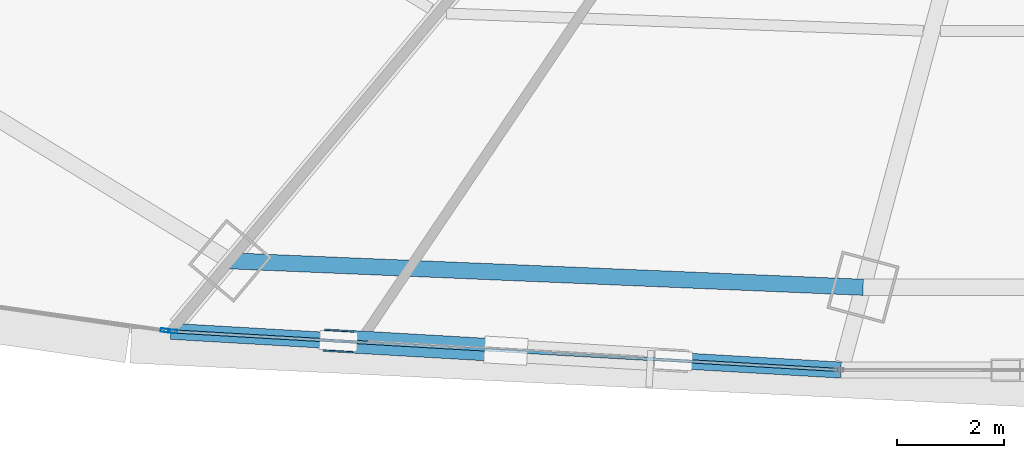
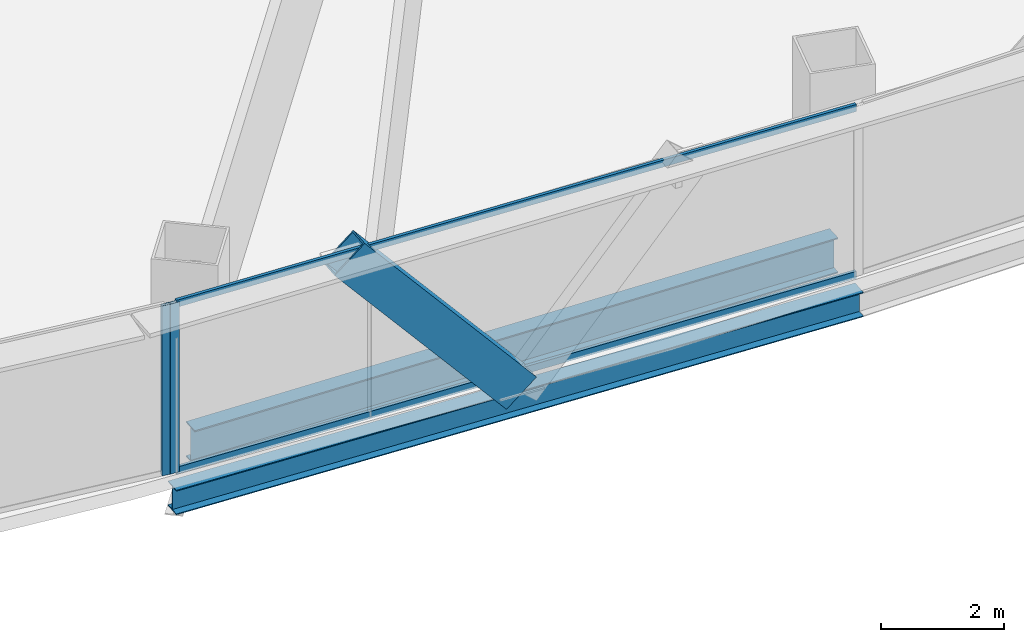
# One storey, part 6 of 42: 5 members, 2 beams, 2 elements without a shape of their own.
"""IFC4 building model written with IfcOpenShell, lengths in metres."""

from ifc_helpers import new_model, si_unit, direction, frame, origin, origin_2d, place, context, subcontext, project, spatial, hollow_rectangle, i_section, extrude, source, transform, mapped, material, layer, layer_set, material_profile, profile_set, type_object, element, aggregate, save


model = new_model("IFC4")

# Units and contexts
model_context = context("Model", 3, precision=1e-05, world=origin(), true_north=direction((0.0, 1.0)))
body_context = subcontext(model_context, "Body", "Model", "MODEL_VIEW")
ifc_project = project(units=[si_unit("LENGTHUNIT", "METRE"), si_unit("AREAUNIT", "SQUARE_METRE"), si_unit("VOLUMEUNIT", "CUBIC_METRE"), si_unit("PLANEANGLEUNIT", "RADIAN"), si_unit("MASSUNIT", "GRAM", prefix="KILO"), si_unit("THERMODYNAMICTEMPERATUREUNIT", "KELVIN"), si_unit("POWERUNIT", "WATT")], contexts=[model_context])

# Site, building, storey
site_placement = place(None, origin())
site = spatial("IfcSite", under=ifc_project, at=site_placement, CompositionType="ELEMENT")
building_placement = place(site_placement, origin())
building = spatial("IfcBuilding", under=site, at=building_placement, Name="Yunzhuo Pagoda Commons", CompositionType="ELEMENT")
storey_placement = place(building_placement, frame((0.0, 0.0, 41.2900390625)))
storey = spatial("IfcBuildingStorey", under=building, at=storey_placement, Name="L10", CompositionType="ELEMENT", Elevation=41.2900390625)

# Beams
ifc_material_1 = material(Name="Structural steel Q355B", Category="steel")
ifc_material_profile_1 = material_profile(ifc_material_1, i_section(OverallWidth=0.300048828125, OverallDepth=0.699951171875, WebThickness=0.012939453125, FlangeThickness=0.02392578125, at=origin_2d()), Name="Structural steel Q355B")
ifc_profile_set_1 = profile_set([ifc_material_profile_1], Name="Structural steel Q355B")
beam_type_1 = type_object("IfcBeamType", Name="B-RG1 Beam HN 700x300x13x24", PredefinedType="BEAM", material=ifc_profile_set_1)
shared_shape_1 = source(origin(), body_context, "Body", "SweptSolid", [
    extrude(i_section(OverallWidth=0.300048828125, OverallDepth=0.699951171875, WebThickness=0.012939453125, FlangeThickness=0.02392578125, at=origin_2d()), origin(), (0.0, 0.0, 1.0), 11.7900390625),
])
beam_1_placement = place(storey_placement, frame((30.5, 12.844482421875, -0.610107421875), z_axis=(0.99912739354, -0.041766631146, 0.0), x_axis=(0.041766631146, 0.99912739354, 0.0)))
element("IfcBeam", 1, at=beam_1_placement, inside=storey, type_object=beam_type_1, Name="L10 column-ring beam 1", PredefinedType="BEAM", context=body_context, shape_type="MappedRepresentation", body=[
    mapped(shared_shape_1, transform((0.0, 0.0, 0.0), scale=1.0)),
])
ifc_material_profile_2 = material_profile(ifc_material_1, i_section(OverallWidth=0.300048828125, OverallDepth=0.488037109375, WebThickness=0.010986328125, FlangeThickness=0.01806640625, at=origin_2d()), Name="Structural steel Q355B")
ifc_profile_set_2 = profile_set([ifc_material_profile_2], Name="Structural steel Q355B")
beam_type_2 = type_object("IfcBeamType", Name="B-SP1 Beam HM 488x300x11x18", PredefinedType="BEAM", material=ifc_profile_set_2)
shared_shape_2 = source(origin(), body_context, "Body", "SweptSolid", [
    extrude(i_section(OverallWidth=0.300048828125, OverallDepth=0.488037109375, WebThickness=0.010986328125, FlangeThickness=0.01806640625, at=origin_2d()), origin(), (0.0, 0.0, 1.0), 12.488037109375),
])
beam_2_placement = place(storey_placement, frame((29.399658203125, 11.532958984375, -0.504150390625), z_axis=(0.998328811504, -0.057789134978, 0.0), x_axis=(0.057789134978, 0.998328811504, 0.0)))
element("IfcBeam", 2, at=beam_2_placement, inside=storey, type_object=beam_type_2, Name="L10 facade edge spandrel beam F1.1", PredefinedType="BEAM", context=body_context, shape_type="MappedRepresentation", body=[
    mapped(shared_shape_2, transform((0.0, 0.0, 0.0), scale=1.0)),
])

# Member
ifc_material_2 = material(Name="Structural steel Q420B", Category="steel")
ifc_material_profile_3 = material_profile(ifc_material_2, hollow_rectangle(XDim=0.419921875, YDim=0.719970703125, WallThickness=0.028076171875, at=origin_2d()), Name="Structural steel Q420B")
ifc_profile_set_3 = profile_set([ifc_material_profile_3], Name="Structural steel Q420B")
member_type_1 = type_object("IfcMemberType", Name="M-DL1 Brace BOX 720x420x28", PredefinedType="BRACE", material=ifc_profile_set_3)
shared_shape_3 = source(origin(), body_context, "Body", "SweptSolid", [
    extrude(hollow_rectangle(XDim=0.419921875, YDim=0.719970703125, WallThickness=0.028076171875, at=origin_2d()), origin(), (0.0, 0.0, 1.0), 4.787841796875),
])
member_1_placement = place(storey_placement, frame((35.63330078125, 11.172119140625, -0.260009765625), z_axis=(-0.650975599794, 0.0376837669, 0.758162714847), x_axis=(-0.057791390819, -0.99832868092, 0.0)))
element("IfcMember", 3, at=member_1_placement, inside=storey, type_object=member_type_1, Name="L10 facade diamond brace F1.1L", PredefinedType="BRACE", context=body_context, shape_type="MappedRepresentation", body=[
    mapped(shared_shape_3, transform((0.0, 0.0, 0.0), scale=1.0)),
])

# Curtain wall, member
ifc_material_3 = material(Name="Anodized aluminium 6063-T6", Category="aluminium")
ifc_layer = layer(ifc_material_3, 0.1650390625)
ifc_layer_set = layer_set([ifc_layer], Name="Anodized aluminium 6063-T6")
curtain_wall_type = type_object("IfcCurtainWallType", Name="CW-LOW Low-Zone Ribbon Curtain Wall", PredefinedType="NOTDEFINED", material=ifc_layer_set)
curtain_wall_1_placement = place(storey_placement, origin())
curtain_wall_1 = element("IfcCurtainWall", 4, at=curtain_wall_1_placement, inside=storey, type_object=curtain_wall_type, Name="L10 curtain wall CW-L10-F1B2", PredefinedType="NOTDEFINED")
ifc_material_profile_4 = material_profile(ifc_material_3, hollow_rectangle(XDim=0.06494140625, YDim=0.1650390625, WallThickness=0.00390625, at=origin_2d()), Name="Anodized aluminium 6063-T6")
ifc_profile_set_4 = profile_set([ifc_material_profile_4], Name="Anodized aluminium 6063-T6")
member_type_2 = type_object("IfcMemberType", Name="CW-LOW-M Mullion RHS 165x65x4", PredefinedType="MULLION", material=ifc_profile_set_4)
shared_shape_4 = source(origin(), body_context, "Body", "SweptSolid", [
    extrude(hollow_rectangle(XDim=0.06494140625, YDim=0.1650390625, WallThickness=0.00390625, at=origin_2d()), origin(), (0.0, 0.0, 1.0), 3.369873046875),
])
member_2_placement = place(storey_placement, frame((29.43212890625, 11.531005859375, 0.0), z_axis=(0.0, 0.0, 1.0), x_axis=(0.057790687505, 0.998328721633, 0.0)))
member_2 = element("IfcMember", 5, at=member_2_placement, type_object=member_type_2, Name="CW mullion 1", PredefinedType="MULLION", context=body_context, shape_type="MappedRepresentation", body=[
    mapped(shared_shape_4, transform((0.0, 0.0, 0.0), scale=1.0)),
])

curtain_wall_2_placement = place(storey_placement, origin())
curtain_wall_2 = element("IfcCurtainWall", 6, at=curtain_wall_2_placement, inside=storey, type_object=curtain_wall_type, Name="L10 curtain wall CW-L10-F1B1", PredefinedType="NOTDEFINED")
member_3_placement = place(storey_placement, frame((29.293212890625, 11.548095703125, 0.0), z_axis=(0.0, 0.0, 1.0), x_axis=(0.141492753346, 0.989939291447, 0.0)))
member_3 = element("IfcMember", 7, at=member_3_placement, type_object=member_type_2, Name="CW mullion 2", PredefinedType="MULLION", context=body_context, shape_type="MappedRepresentation", body=[
    mapped(shared_shape_4, transform((0.0, 0.0, 0.0), scale=1.0)),
])
aggregate(curtain_wall_2, [member_3])

# Member
ifc_material_profile_5 = material_profile(ifc_material_3, hollow_rectangle(XDim=0.06005859375, YDim=0.139892578125, WallThickness=0.00341796875, at=origin_2d()), Name="Anodized aluminium 6063-T6")
ifc_profile_set_5 = profile_set([ifc_material_profile_5], Name="Anodized aluminium 6063-T6")
member_type_3 = type_object("IfcMemberType", Name="CW-LOW-T Transom RHS 140x60x3.5", PredefinedType="USERDEFINED", material=ifc_profile_set_5)
shared_shape_5 = source(origin(), body_context, "Body", "SweptSolid", [
    extrude(hollow_rectangle(XDim=0.06005859375, YDim=0.139892578125, WallThickness=0.00341796875, at=origin_2d()), origin(), (0.0, 0.0, 1.0), 12.358154296875),
])
member_4_placement = place(storey_placement, frame((29.464599609375, 11.529296875, 0.030029296875), z_axis=(0.998327904956, -0.0578047938, 0.0), x_axis=(0.0578047938, 0.998327904956, 0.0)))
member_4 = element("IfcMember", 8, at=member_4_placement, type_object=member_type_3, Name="CW transom 1.1", ObjectType="TRANSOM", PredefinedType="USERDEFINED", context=body_context, shape_type="MappedRepresentation", body=[
    mapped(shared_shape_5, transform((0.0, 0.0, 0.0), scale=1.0)),
])

member_5_placement = place(storey_placement, frame((29.464599609375, 11.529296875, 3.33984375), z_axis=(0.998327904956, -0.0578047938, 0.0), x_axis=(0.0578047938, 0.998327904956, 0.0)))
member_5 = element("IfcMember", 9, at=member_5_placement, type_object=member_type_3, Name="CW transom 1.2", ObjectType="TRANSOM", PredefinedType="USERDEFINED", context=body_context, shape_type="MappedRepresentation", body=[
    mapped(shared_shape_5, transform((0.0, 0.0, 0.0), scale=1.0)),
])

aggregate(curtain_wall_1, [member_2, member_4, member_5])

save(model, "model.ifc")
